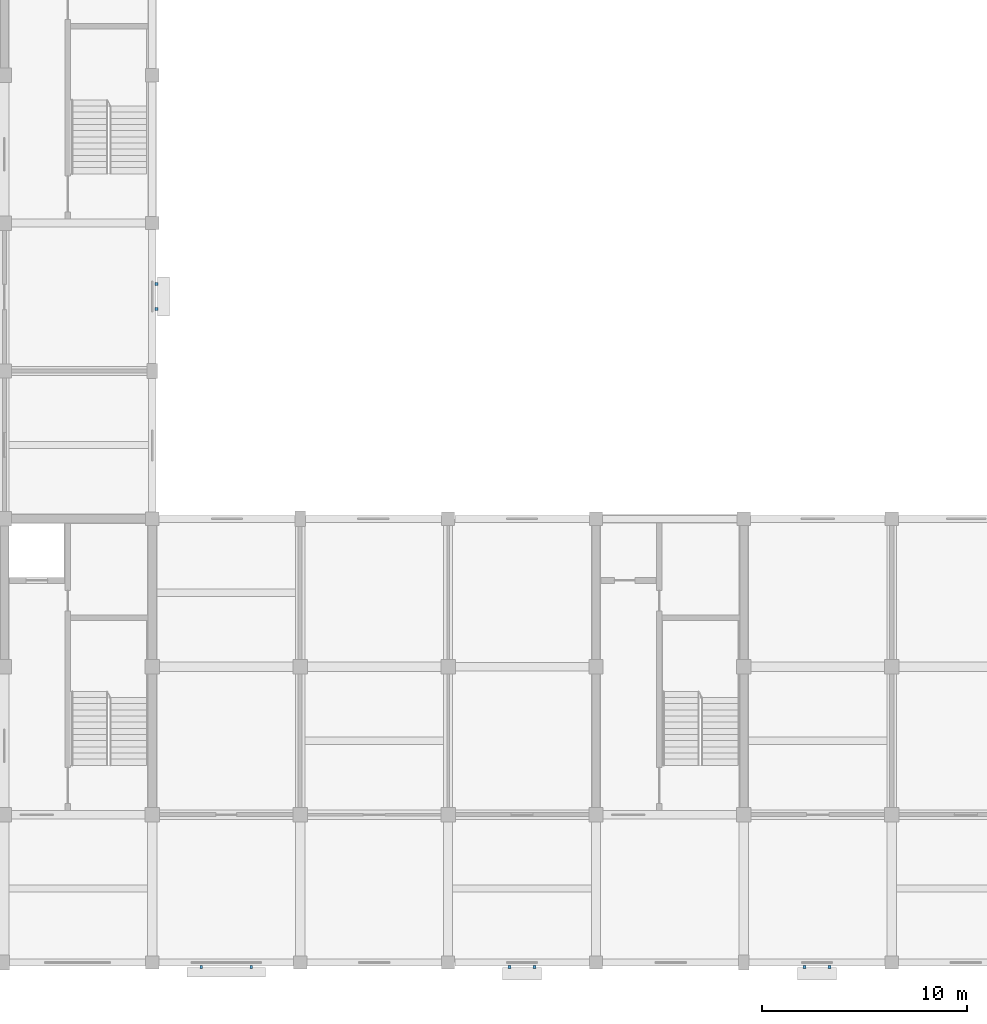
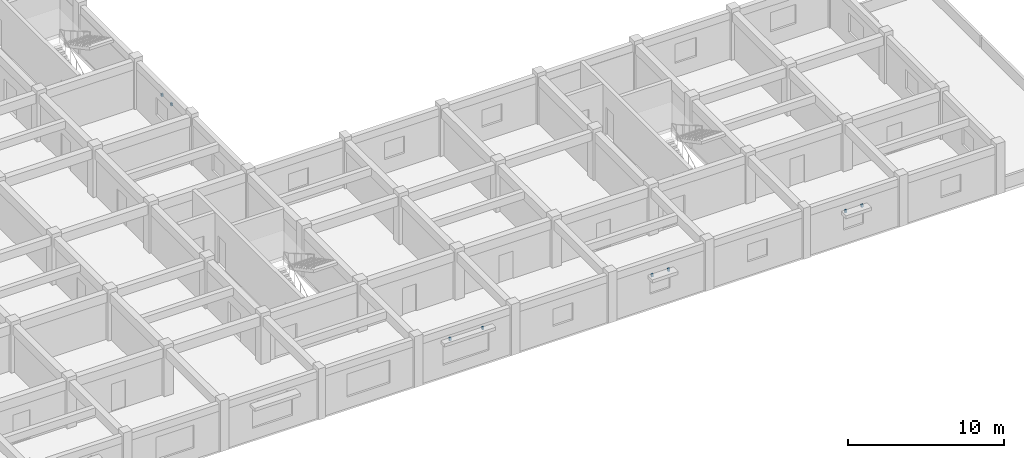
# One storey, part 14 of 16: 8 discrete accessories.
"""IFC4 building model written with IfcOpenShell, lengths in metres."""

from ifc_helpers import new_model, si_unit, direction, frame, origin, origin_2d, place, context, subcontext, project, spatial, rectangle, extrude, material, type_object, element, save


model = new_model("IFC4")

# Units and contexts
model_context = context("Model", 3, precision=1e-05, world=origin(), true_north=direction((0.0, 1.0)))
body_context = subcontext(model_context, "Body", "Model", "MODEL_VIEW")
ifc_project = project(units=[si_unit("LENGTHUNIT", "METRE"), si_unit("AREAUNIT", "SQUARE_METRE"), si_unit("VOLUMEUNIT", "CUBIC_METRE"), si_unit("PLANEANGLEUNIT", "RADIAN"), si_unit("MASSUNIT", "GRAM", prefix="KILO")], contexts=[model_context])

# Site, building, storey
site_placement = place(None, origin())
site = spatial("IfcSite", under=ifc_project, at=site_placement, CompositionType="ELEMENT")
building_placement = place(site_placement, origin())
building = spatial("IfcBuilding", under=site, at=building_placement, Name="Cendaluz Park School", CompositionType="ELEMENT")
storey_placement = place(building_placement, frame((0.0, 0.0, 22.60009765625)))
storey = spatial("IfcBuildingStorey", under=building, at=storey_placement, Name="L05", CompositionType="ELEMENT", Elevation=22.60009765625)

# Discrete accessories
ifc_material = material(Name="Steel S355", Category="steel")
discrete_accessory_type = type_object("IfcDiscreteAccessoryType", Name="BK-01", PredefinedType="BRACKET", material=ifc_material)
for number, where, z_axis, x_axis, name in (
    (1, (108.2099609375, 39.01708984375, 2.47998046875), (0.0, 0.0, 1.0), (0.0, 1.0, 0.0), "BK-L05-159"),
    (2, (108.2099609375, 40.23291015625, 2.47998046875), (0.0, 0.0, 1.0), (0.0, 1.0, 0.0), "BK-L05-160"),
    (3, (110.384033203125, 6.989990234375, 2.72998046875), (0.0, 0.0, 1.0), (1.0, 0.0, 0.0), "BK-L05-161"),
    (4, (112.81591796875, 6.989990234375, 2.72998046875), (0.0, 0.0, 1.0), (1.0, 0.0, 0.0), "BK-L05-162"),
    (5, (125.39208984375, 6.989990234375, 2.47998046875), (0.0, 0.0, 1.0), (1.0, 0.0, 0.0), "BK-L05-163"),
    (6, (126.60791015625, 6.989990234375, 2.47998046875), (0.0, 0.0, 1.0), (1.0, 0.0, 0.0), "BK-L05-164"),
    (7, (139.75439453125, 6.989990234375, 2.47998046875), (0.0, 0.0, 1.0), (1.0, 0.0, 0.0), "BK-L05-165"),
    (8, (140.970458984375, 6.989990234375, 2.47998046875), (0.0, 0.0, 1.0), (1.0, 0.0, 0.0), "BK-L05-166"),
):
    element("IfcDiscreteAccessory", number, at=place(storey_placement, frame(where, z_axis=z_axis, x_axis=x_axis)), inside=storey, type_object=discrete_accessory_type, Name=name, PredefinedType="BRACKET", context=body_context, shape_type="SweptSolid", body=[
        extrude(rectangle(XDim=0.139892578125, YDim=0.139892578125, at=origin_2d()), origin(), (0.0, 0.0, 1.0), 0.219970703125),
    ])

save(model, "model.ifc")
